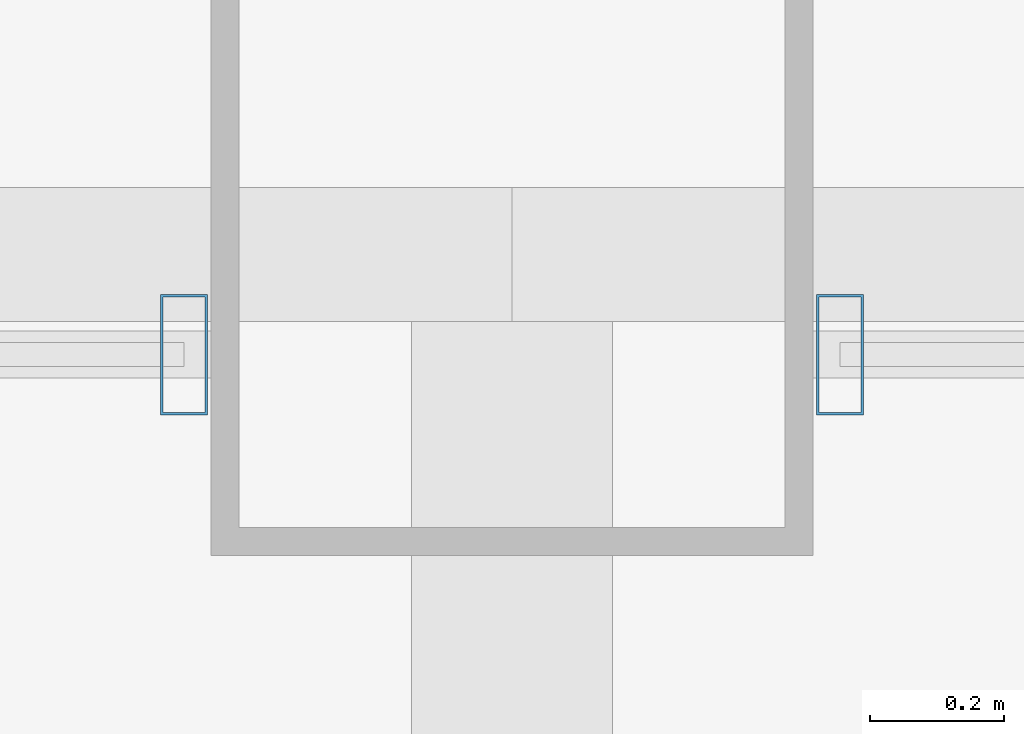
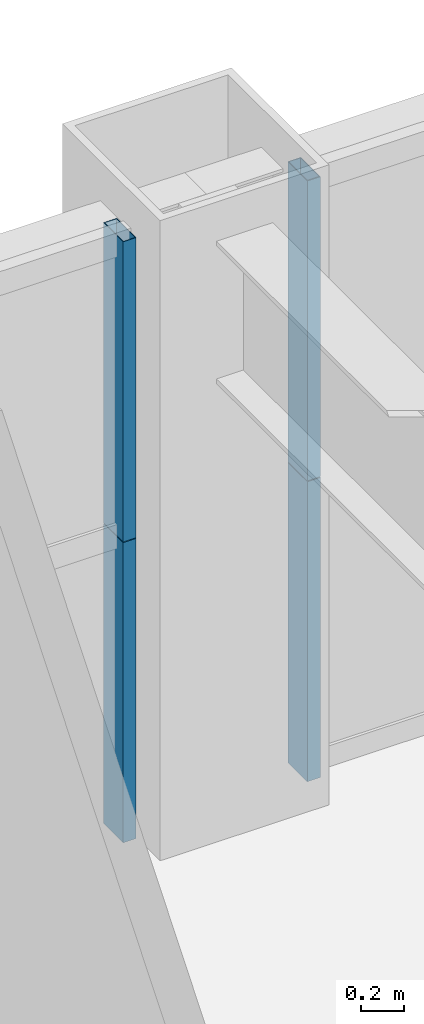
# One storey, part 29 of 43: 4 members, 2 elements without a shape of their own.
"""IFC4 building model written with IfcOpenShell, lengths in metres."""

from ifc_helpers import new_model, si_unit, direction, frame, origin, origin_2d, place, context, subcontext, project, spatial, hollow_rectangle, extrude, source, transform, mapped, material, layer, layer_set, material_profile, profile_set, type_object, element, aggregate, save


model = new_model("IFC4")

# Units and contexts
model_context = context("Model", 3, precision=1e-05, world=origin(), true_north=direction((0.0, 1.0)))
body_context = subcontext(model_context, "Body", "Model", "MODEL_VIEW")
ifc_project = project(units=[si_unit("LENGTHUNIT", "METRE"), si_unit("AREAUNIT", "SQUARE_METRE"), si_unit("VOLUMEUNIT", "CUBIC_METRE"), si_unit("PLANEANGLEUNIT", "RADIAN"), si_unit("MASSUNIT", "GRAM", prefix="KILO"), si_unit("THERMODYNAMICTEMPERATUREUNIT", "KELVIN"), si_unit("POWERUNIT", "WATT")], contexts=[model_context])

# Site, building, storey
site_placement = place(None, origin())
site = spatial("IfcSite", under=ifc_project, at=site_placement, CompositionType="ELEMENT")
building_placement = place(site_placement, origin())
building = spatial("IfcBuilding", under=site, at=building_placement, Name="Yuzanri Waterfront Tower", CompositionType="ELEMENT")
storey_placement = place(building_placement, frame((0.0, 0.0, 71.199951171875)))
storey = spatial("IfcBuildingStorey", under=building, at=storey_placement, Name="L18", CompositionType="ELEMENT", Elevation=71.199951171875)

# Curtain wall, members
ifc_material_1 = material(Name="Anodized Architectural Bronze", Category="metal")
ifc_layer = layer(ifc_material_1, 0.159912109375)
ifc_layer_set = layer_set([ifc_layer], Name="Anodized Architectural Bronze")
curtain_wall_type = type_object("IfcCurtainWallType", Name="Anodized Bronze Hotel Lower-Tier Recessed Unitized Curtain Wall 8100", PredefinedType="NOTDEFINED", material=ifc_layer_set)
curtain_wall_1_placement = place(storey_placement, origin())
curtain_wall_1 = element("IfcCurtainWall", 1, at=curtain_wall_1_placement, inside=storey, type_object=curtain_wall_type, Name="L18 Curtain Wall CW-L18-NL", PredefinedType="NOTDEFINED")
ifc_material_2 = material(Name="Anodized Architectural Bronze", Category="metal")
ifc_material_profile = material_profile(ifc_material_2, hollow_rectangle(XDim=0.070068359375, YDim=0.179931640625, WallThickness=0.00390625, at=origin_2d()), Name="CWM 70x180")
ifc_profile_set = profile_set([ifc_material_profile], Name="Anodized Architectural Bronze")
member_type = type_object("IfcMemberType", Name="Anodized Bronze Standard Curtain-Wall Mullion 70x180", PredefinedType="MULLION", material=ifc_profile_set)
shared_shape = source(origin(), body_context, "Body", "SweptSolid", [
    extrude(hollow_rectangle(XDim=0.070068359375, YDim=0.179931640625, WallThickness=0.00390625, at=origin_2d()), origin(), (0.0, 0.0, 1.0), 1.68798828125),
])
member_1_placement = place(storey_placement, frame((36.510009765625, 50.75, 0.0), z_axis=(0.0, 0.0, 1.0), x_axis=(1.0, 0.0, 0.0)))
member_1 = element("IfcMember", 2, at=member_1_placement, type_object=member_type, Name="CW-L18-NL Lower Mullion 02", PredefinedType="MULLION", context=body_context, shape_type="MappedRepresentation", body=[
    mapped(shared_shape, transform((0.0, 0.0, 0.0), scale=1.0)),
])
member_2_placement = place(storey_placement, frame((36.510009765625, 50.75, 1.692138671875), z_axis=(0.0, 0.0, 1.0), x_axis=(1.0, 0.0, 0.0)))
member_2 = element("IfcMember", 3, at=member_2_placement, type_object=member_type, Name="CW-L18-NL Upper Mullion 02", PredefinedType="MULLION", context=body_context, shape_type="MappedRepresentation", body=[
    mapped(shared_shape, transform((0.0, 0.0, 0.0), scale=1.0)),
])
aggregate(curtain_wall_1, [member_1, member_2])

curtain_wall_2_placement = place(storey_placement, origin())
curtain_wall_2 = element("IfcCurtainWall", 4, at=curtain_wall_2_placement, inside=storey, type_object=curtain_wall_type, Name="L18 Curtain Wall CW-L18-NR", PredefinedType="NOTDEFINED")
member_3_placement = place(storey_placement, frame((37.489990234375, 50.75, 0.0), z_axis=(0.0, 0.0, 1.0), x_axis=(1.0, 0.0, 0.0)))
member_3 = element("IfcMember", 5, at=member_3_placement, type_object=member_type, Name="CW-L18-NR Lower Mullion 00", PredefinedType="MULLION", context=body_context, shape_type="MappedRepresentation", body=[
    mapped(shared_shape, transform((0.0, 0.0, 0.0), scale=1.0)),
])
member_4_placement = place(storey_placement, frame((37.489990234375, 50.75, 1.692138671875), z_axis=(0.0, 0.0, 1.0), x_axis=(1.0, 0.0, 0.0)))
member_4 = element("IfcMember", 6, at=member_4_placement, type_object=member_type, Name="CW-L18-NR Upper Mullion 00", PredefinedType="MULLION", context=body_context, shape_type="MappedRepresentation", body=[
    mapped(shared_shape, transform((0.0, 0.0, 0.0), scale=1.0)),
])
aggregate(curtain_wall_2, [member_3, member_4])

save(model, "model.ifc")
